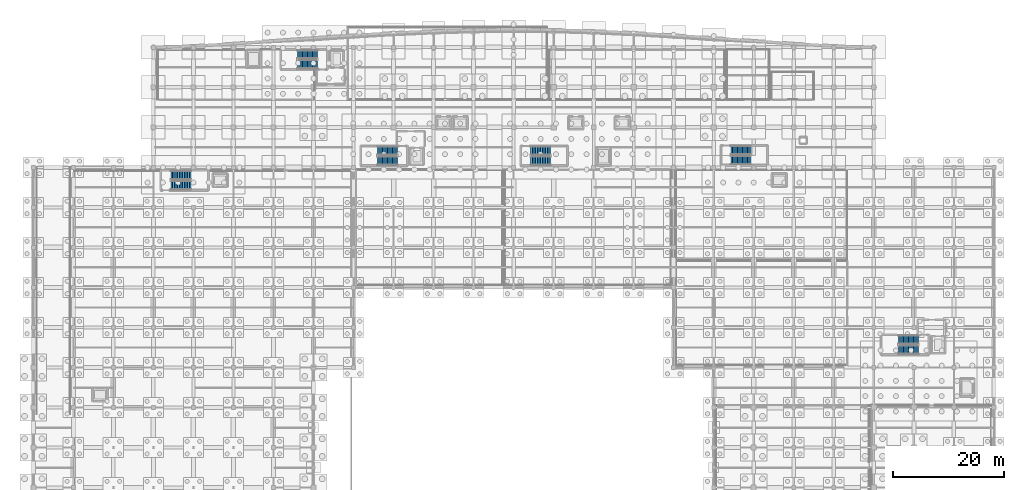
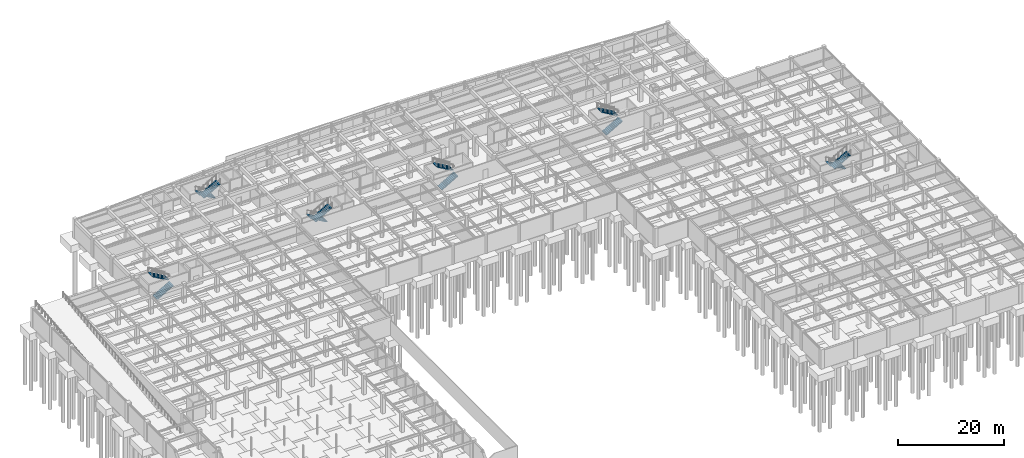
# One storey, part 41 of 48: 12 stair flights, 6 elements without a shape of their own.
"""IFC4 building model written with IfcOpenShell, lengths in metres."""

from ifc_helpers import new_model, si_unit, direction, frame, origin, place, context, subcontext, project, spatial, polyline, outline, extrude, material, type_object, element, aggregate, save


model = new_model("IFC4")

# Units and contexts
model_context = context("Model", 3, precision=1e-05, world=origin(), true_north=direction((0.0, 1.0)))
body_context = subcontext(model_context, "Body", "Model", "MODEL_VIEW")
ifc_project = project(units=[si_unit("LENGTHUNIT", "METRE"), si_unit("AREAUNIT", "SQUARE_METRE"), si_unit("VOLUMEUNIT", "CUBIC_METRE"), si_unit("PLANEANGLEUNIT", "RADIAN"), si_unit("MASSUNIT", "GRAM", prefix="KILO")], contexts=[model_context])

# Site, building, storey
site_placement = place(None, origin())
site = spatial("IfcSite", under=ifc_project, at=site_placement, CompositionType="ELEMENT")
building_placement = place(site_placement, origin())
building = spatial("IfcBuilding", under=site, at=building_placement, Name="Carrowvane Square Congress Hotel", CompositionType="ELEMENT")
storey_placement = place(building_placement, frame((0.0, 0.0, -4.5)))
storey = spatial("IfcBuildingStorey", under=building, at=storey_placement, Name="B01", CompositionType="ELEMENT", Elevation=-4.5)

# Stair, stair flights
ifc_material_1 = material(Name="Concrete C35/45", Category="concrete")
stair_type_1 = type_object("IfcStairType", Name="STR-DOG-01", PredefinedType="HALF_TURN_STAIR", material=ifc_material_1)
stair_1_placement = place(storey_placement, origin())
stair_1 = element("IfcStair", 1, at=stair_1_placement, inside=storey, type_object=stair_type_1, Name="B01 Core C1 West Hotel Firefighting Stair", PredefinedType="HALF_TURN_STAIR")
ifc_material_2 = material(Name="Concrete C35/45", Category="concrete")
stair_flight_type_1 = type_object("IfcStairFlightType", Name="SFL-STR-01", PredefinedType="STRAIGHT", material=ifc_material_2)
stair_flight_1_placement = place(storey_placement, frame((62.719970703125, 112.110107421875, 0.0), z_axis=(0.0, 0.0, 1.0), x_axis=(-1.0, 0.0, 0.0)))
stair_flight_1 = element("IfcStairFlight", 2, at=stair_flight_1_placement, type_object=stair_flight_type_1, Name="ST1 flight 1", NumberOfRisers=13, NumberOfTreads=12, PredefinedType="STRAIGHT", RiserHeight=0.173076923, TreadLength=0.3, context=body_context, shape_type="SweptSolid", body=[
    extrude(outline(polyline([(0.0, 0.0), (0.0, 0.173095703125), (0.300048828125, 0.173095703125), (0.300048828125, 0.34619140625), (0.60009765625, 0.34619140625), (0.60009765625, 0.519287109375), (0.89990234375, 0.519287109375), (0.89990234375, 0.6923828125), (1.199951171875, 0.6923828125), (1.199951171875, 0.865478515625), (1.5, 0.865478515625), (1.5, 1.03857421875), (1.800048828125, 1.03857421875), (1.800048828125, 1.21142578125), (2.10009765625, 1.21142578125), (2.10009765625, 1.384521484375), (2.39990234375, 1.384521484375), (2.39990234375, 1.5576171875), (2.699951171875, 1.5576171875), (2.699951171875, 1.730712890625), (3.0, 1.730712890625), (3.0, 1.90380859375), (3.300048828125, 1.90380859375), (3.300048828125, 2.076904296875), (3.60009765625, 2.076904296875), (3.60009765625, 2.25), (3.60009765625, 1.90380859375), (0.300048828125, 0.0), (0.0, 0.0)])), frame((0.0, 0.7900390625, 0.0), z_axis=(0.0, -1.0, 0.0), x_axis=(1.0, 0.0, 0.0)), (0.0, 0.0, 1.0), 1.580078125),
])
stair_flight_2_placement = place(storey_placement, frame((59.1201171875, 110.330078125, 2.25), z_axis=(0.0, 0.0, 1.0), x_axis=(1.0, 0.0, 0.0)))
stair_flight_2 = element("IfcStairFlight", 3, at=stair_flight_2_placement, type_object=stair_flight_type_1, Name="ST1 flight 2", NumberOfRisers=13, NumberOfTreads=12, PredefinedType="STRAIGHT", RiserHeight=0.173076923, TreadLength=0.3, context=body_context, shape_type="SweptSolid", body=[
    extrude(outline(polyline([(0.0, 0.0), (0.0, 0.173095703125), (0.300048828125, 0.173095703125), (0.300048828125, 0.34619140625), (0.60009765625, 0.34619140625), (0.60009765625, 0.519287109375), (0.89990234375, 0.519287109375), (0.89990234375, 0.6923828125), (1.199951171875, 0.6923828125), (1.199951171875, 0.865478515625), (1.5, 0.865478515625), (1.5, 1.03857421875), (1.800048828125, 1.03857421875), (1.800048828125, 1.21142578125), (2.10009765625, 1.21142578125), (2.10009765625, 1.384521484375), (2.39990234375, 1.384521484375), (2.39990234375, 1.5576171875), (2.699951171875, 1.5576171875), (2.699951171875, 1.730712890625), (3.0, 1.730712890625), (3.0, 1.90380859375), (3.300048828125, 1.90380859375), (3.300048828125, 2.076904296875), (3.60009765625, 2.076904296875), (3.60009765625, 2.25), (3.60009765625, 1.90380859375), (0.300048828125, 0.0), (0.0, 0.0)])), frame((0.0, 0.7900390625, 0.0), z_axis=(0.0, -1.0, 0.0), x_axis=(1.0, 0.0, 0.0)), (0.0, 0.0, 1.0), 1.580078125),
])
aggregate(stair_1, [stair_flight_1, stair_flight_2])

stair_2_placement = place(storey_placement, origin())
stair_2 = element("IfcStair", 4, at=stair_2_placement, inside=storey, type_object=stair_type_1, Name="B01 Core C2 Central Hotel Firefighting Stair", PredefinedType="HALF_TURN_STAIR")
stair_flight_3_placement = place(storey_placement, frame((77.1201171875, 94.77001953125, 0.0), z_axis=(0.0, 0.0, 1.0), x_axis=(-1.0, 0.0, 0.0)))
stair_flight_3 = element("IfcStairFlight", 5, at=stair_flight_3_placement, type_object=stair_flight_type_1, Name="ST2 flight 1", NumberOfRisers=13, NumberOfTreads=12, PredefinedType="STRAIGHT", RiserHeight=0.173076923, TreadLength=0.3, context=body_context, shape_type="SweptSolid", body=[
    extrude(outline(polyline([(0.0, 0.0), (0.0, 0.173095703125), (0.300048828125, 0.173095703125), (0.300048828125, 0.34619140625), (0.60009765625, 0.34619140625), (0.60009765625, 0.519287109375), (0.89990234375, 0.519287109375), (0.89990234375, 0.6923828125), (1.199951171875, 0.6923828125), (1.199951171875, 0.865478515625), (1.5, 0.865478515625), (1.5, 1.03857421875), (1.800048828125, 1.03857421875), (1.800048828125, 1.21142578125), (2.10009765625, 1.21142578125), (2.10009765625, 1.384521484375), (2.39990234375, 1.384521484375), (2.39990234375, 1.5576171875), (2.699951171875, 1.5576171875), (2.699951171875, 1.730712890625), (3.0, 1.730712890625), (3.0, 1.90380859375), (3.300048828125, 1.90380859375), (3.300048828125, 2.076904296875), (3.60009765625, 2.076904296875), (3.60009765625, 2.25), (3.60009765625, 1.90380859375), (0.300048828125, 0.0), (0.0, 0.0)])), frame((0.0, 0.7900390625, 0.0), z_axis=(0.0, -1.0, 0.0), x_axis=(1.0, 0.0, 0.0)), (0.0, 0.0, 1.0), 1.580078125),
])
stair_flight_4_placement = place(storey_placement, frame((73.52001953125, 92.989990234375, 2.25), z_axis=(0.0, 0.0, 1.0), x_axis=(1.0, 0.0, 0.0)))
stair_flight_4 = element("IfcStairFlight", 6, at=stair_flight_4_placement, type_object=stair_flight_type_1, Name="ST2 flight 2", NumberOfRisers=13, NumberOfTreads=12, PredefinedType="STRAIGHT", RiserHeight=0.173076923, TreadLength=0.3, context=body_context, shape_type="SweptSolid", body=[
    extrude(outline(polyline([(0.0, 0.0), (0.0, 0.173095703125), (0.300048828125, 0.173095703125), (0.300048828125, 0.34619140625), (0.60009765625, 0.34619140625), (0.60009765625, 0.519287109375), (0.89990234375, 0.519287109375), (0.89990234375, 0.6923828125), (1.199951171875, 0.6923828125), (1.199951171875, 0.865478515625), (1.5, 0.865478515625), (1.5, 1.03857421875), (1.800048828125, 1.03857421875), (1.800048828125, 1.21142578125), (2.10009765625, 1.21142578125), (2.10009765625, 1.384521484375), (2.39990234375, 1.384521484375), (2.39990234375, 1.5576171875), (2.699951171875, 1.5576171875), (2.699951171875, 1.730712890625), (3.0, 1.730712890625), (3.0, 1.90380859375), (3.300048828125, 1.90380859375), (3.300048828125, 2.076904296875), (3.60009765625, 2.076904296875), (3.60009765625, 2.25), (3.60009765625, 1.90380859375), (0.300048828125, 0.0), (0.0, 0.0)])), frame((0.0, 0.7900390625, 0.0), z_axis=(0.0, -1.0, 0.0), x_axis=(1.0, 0.0, 0.0)), (0.0, 0.0, 1.0), 1.580078125),
])
aggregate(stair_2, [stair_flight_3, stair_flight_4])

stair_3_placement = place(storey_placement, origin())
stair_3 = element("IfcStair", 7, at=stair_3_placement, inside=storey, type_object=stair_type_1, Name="B01 Core C3 East Hotel Escape Stair", PredefinedType="HALF_TURN_STAIR")
stair_flight_5_placement = place(storey_placement, frame((101.080078125, 92.989990234375, 0.0), z_axis=(0.0, 0.0, 1.0), x_axis=(1.0, 0.0, 0.0)))
stair_flight_5 = element("IfcStairFlight", 8, at=stair_flight_5_placement, type_object=stair_flight_type_1, Name="ST3 flight 1", NumberOfRisers=13, NumberOfTreads=12, PredefinedType="STRAIGHT", RiserHeight=0.173076923, TreadLength=0.3, context=body_context, shape_type="SweptSolid", body=[
    extrude(outline(polyline([(0.0, 0.0), (0.0, 0.173095703125), (0.300048828125, 0.173095703125), (0.300048828125, 0.34619140625), (0.60009765625, 0.34619140625), (0.60009765625, 0.519287109375), (0.89990234375, 0.519287109375), (0.89990234375, 0.6923828125), (1.199951171875, 0.6923828125), (1.199951171875, 0.865478515625), (1.5, 0.865478515625), (1.5, 1.03857421875), (1.800048828125, 1.03857421875), (1.800048828125, 1.21142578125), (2.10009765625, 1.21142578125), (2.10009765625, 1.384521484375), (2.39990234375, 1.384521484375), (2.39990234375, 1.5576171875), (2.699951171875, 1.5576171875), (2.699951171875, 1.730712890625), (3.0, 1.730712890625), (3.0, 1.90380859375), (3.300048828125, 1.90380859375), (3.300048828125, 2.076904296875), (3.60009765625, 2.076904296875), (3.60009765625, 2.25), (3.60009765625, 1.90380859375), (0.300048828125, 0.0), (0.0, 0.0)])), frame((0.0, 0.7900390625, 0.0), z_axis=(0.0, -1.0, 0.0), x_axis=(1.0, 0.0, 0.0)), (0.0, 0.0, 1.0), 1.580078125),
])
stair_flight_6_placement = place(storey_placement, frame((104.679931640625, 94.77001953125, 2.25), z_axis=(0.0, 0.0, 1.0), x_axis=(-1.0, 0.0, 0.0)))
stair_flight_6 = element("IfcStairFlight", 9, at=stair_flight_6_placement, type_object=stair_flight_type_1, Name="ST3 flight 2", NumberOfRisers=13, NumberOfTreads=12, PredefinedType="STRAIGHT", RiserHeight=0.173076923, TreadLength=0.3, context=body_context, shape_type="SweptSolid", body=[
    extrude(outline(polyline([(0.0, 0.0), (0.0, 0.173095703125), (0.300048828125, 0.173095703125), (0.300048828125, 0.34619140625), (0.60009765625, 0.34619140625), (0.60009765625, 0.519287109375), (0.89990234375, 0.519287109375), (0.89990234375, 0.6923828125), (1.199951171875, 0.6923828125), (1.199951171875, 0.865478515625), (1.5, 0.865478515625), (1.5, 1.03857421875), (1.800048828125, 1.03857421875), (1.800048828125, 1.21142578125), (2.10009765625, 1.21142578125), (2.10009765625, 1.384521484375), (2.39990234375, 1.384521484375), (2.39990234375, 1.5576171875), (2.699951171875, 1.5576171875), (2.699951171875, 1.730712890625), (3.0, 1.730712890625), (3.0, 1.90380859375), (3.300048828125, 1.90380859375), (3.300048828125, 2.076904296875), (3.60009765625, 2.076904296875), (3.60009765625, 2.25), (3.60009765625, 1.90380859375), (0.300048828125, 0.0), (0.0, 0.0)])), frame((0.0, 0.7900390625, 0.0), z_axis=(0.0, -1.0, 0.0), x_axis=(1.0, 0.0, 0.0)), (0.0, 0.0, 1.0), 1.580078125),
])
aggregate(stair_3, [stair_flight_5, stair_flight_6])

stair_4_placement = place(storey_placement, origin())
stair_4 = element("IfcStair", 10, at=stair_4_placement, inside=storey, type_object=stair_type_1, Name="B01 East Hotel Wing Escape Stair", PredefinedType="HALF_TURN_STAIR")
stair_flight_7_placement = place(storey_placement, frame((137.080078125, 93.090087890625, 0.0), z_axis=(0.0, 0.0, 1.0), x_axis=(1.0, 0.0, 0.0)))
stair_flight_7 = element("IfcStairFlight", 11, at=stair_flight_7_placement, type_object=stair_flight_type_1, Name="ST12 flight 1", NumberOfRisers=13, NumberOfTreads=12, PredefinedType="STRAIGHT", RiserHeight=0.173076923, TreadLength=0.3, context=body_context, shape_type="SweptSolid", body=[
    extrude(outline(polyline([(0.0, 0.0), (0.0, 0.173095703125), (0.300048828125, 0.173095703125), (0.300048828125, 0.34619140625), (0.60009765625, 0.34619140625), (0.60009765625, 0.519287109375), (0.89990234375, 0.519287109375), (0.89990234375, 0.6923828125), (1.199951171875, 0.6923828125), (1.199951171875, 0.865478515625), (1.5, 0.865478515625), (1.5, 1.03857421875), (1.800048828125, 1.03857421875), (1.800048828125, 1.21142578125), (2.10009765625, 1.21142578125), (2.10009765625, 1.384521484375), (2.39990234375, 1.384521484375), (2.39990234375, 1.5576171875), (2.699951171875, 1.5576171875), (2.699951171875, 1.730712890625), (3.0, 1.730712890625), (3.0, 1.90380859375), (3.300048828125, 1.90380859375), (3.300048828125, 2.076904296875), (3.60009765625, 2.076904296875), (3.60009765625, 2.25), (3.60009765625, 1.90380859375), (0.300048828125, 0.0), (0.0, 0.0)])), frame((0.0, 0.7900390625, 0.0), z_axis=(0.0, -1.0, 0.0), x_axis=(1.0, 0.0, 0.0)), (0.0, 0.0, 1.0), 1.580078125),
])
stair_flight_8_placement = place(storey_placement, frame((140.679931640625, 94.8701171875, 2.25), z_axis=(0.0, 0.0, 1.0), x_axis=(-1.0, 0.0, 0.0)))
stair_flight_8 = element("IfcStairFlight", 12, at=stair_flight_8_placement, type_object=stair_flight_type_1, Name="ST12 flight 2", NumberOfRisers=13, NumberOfTreads=12, PredefinedType="STRAIGHT", RiserHeight=0.173076923, TreadLength=0.3, context=body_context, shape_type="SweptSolid", body=[
    extrude(outline(polyline([(0.0, 0.0), (0.0, 0.173095703125), (0.300048828125, 0.173095703125), (0.300048828125, 0.34619140625), (0.60009765625, 0.34619140625), (0.60009765625, 0.519287109375), (0.89990234375, 0.519287109375), (0.89990234375, 0.6923828125), (1.199951171875, 0.6923828125), (1.199951171875, 0.865478515625), (1.5, 0.865478515625), (1.5, 1.03857421875), (1.800048828125, 1.03857421875), (1.800048828125, 1.21142578125), (2.10009765625, 1.21142578125), (2.10009765625, 1.384521484375), (2.39990234375, 1.384521484375), (2.39990234375, 1.5576171875), (2.699951171875, 1.5576171875), (2.699951171875, 1.730712890625), (3.0, 1.730712890625), (3.0, 1.90380859375), (3.300048828125, 1.90380859375), (3.300048828125, 2.076904296875), (3.60009765625, 2.076904296875), (3.60009765625, 2.25), (3.60009765625, 1.90380859375), (0.300048828125, 0.0), (0.0, 0.0)])), frame((0.0, 0.7900390625, 0.0), z_axis=(0.0, -1.0, 0.0), x_axis=(1.0, 0.0, 0.0)), (0.0, 0.0, 1.0), 1.580078125),
])
aggregate(stair_4, [stair_flight_7, stair_flight_8])

ifc_material_3 = material(Name="Concrete C35/45", Category="concrete")
stair_type_2 = type_object("IfcStairType", Name="STR-DOG-05", PredefinedType="HALF_TURN_STAIR", material=ifc_material_3)
stair_5_placement = place(storey_placement, origin())
stair_5 = element("IfcStair", 13, at=stair_5_placement, inside=storey, type_object=stair_type_2, Name="B01 Core C4 East Congress Firefighting Stair", PredefinedType="HALF_TURN_STAIR")
ifc_material_4 = material(Name="Concrete C35/45", Category="concrete")
stair_flight_type_2 = type_object("IfcStairFlightType", Name="SFL-STR-05", PredefinedType="STRAIGHT", material=ifc_material_4)
stair_flight_9_placement = place(storey_placement, frame((170.85009765625, 60.800048828125, 0.0), z_axis=(0.0, 0.0, 1.0), x_axis=(-1.0, 0.0, 0.0)))
stair_flight_9 = element("IfcStairFlight", 14, at=stair_flight_9_placement, type_object=stair_flight_type_2, Name="ST4 flight 1", NumberOfRisers=13, NumberOfTreads=12, PredefinedType="STRAIGHT", RiserHeight=0.173076923, TreadLength=0.3, context=body_context, shape_type="SweptSolid", body=[
    extrude(outline(polyline([(0.0, 0.0), (0.0, 0.173095703125), (0.300048828125, 0.173095703125), (0.300048828125, 0.34619140625), (0.60009765625, 0.34619140625), (0.60009765625, 0.519287109375), (0.89990234375, 0.519287109375), (0.89990234375, 0.6923828125), (1.199951171875, 0.6923828125), (1.199951171875, 0.865478515625), (1.5, 0.865478515625), (1.5, 1.03857421875), (1.800048828125, 1.03857421875), (1.800048828125, 1.21142578125), (2.10009765625, 1.21142578125), (2.10009765625, 1.384521484375), (2.39990234375, 1.384521484375), (2.39990234375, 1.5576171875), (2.699951171875, 1.5576171875), (2.699951171875, 1.730712890625), (3.0, 1.730712890625), (3.0, 1.90380859375), (3.300048828125, 1.90380859375), (3.300048828125, 2.076904296875), (3.60009765625, 2.076904296875), (3.60009765625, 2.25), (3.60009765625, 1.90380859375), (0.300048828125, 0.0), (0.0, 0.0)])), frame((0.0, 0.800048828125, 0.0), z_axis=(0.0, -1.0, 0.0), x_axis=(1.0, 0.0, 0.0)), (0.0, 0.0, 1.0), 1.60009765625),
])
stair_flight_10_placement = place(storey_placement, frame((167.25, 59.0, 2.25), z_axis=(0.0, 0.0, 1.0), x_axis=(1.0, 0.0, 0.0)))
stair_flight_10 = element("IfcStairFlight", 15, at=stair_flight_10_placement, type_object=stair_flight_type_2, Name="ST4 flight 2", NumberOfRisers=13, NumberOfTreads=12, PredefinedType="STRAIGHT", RiserHeight=0.173076923, TreadLength=0.3, context=body_context, shape_type="SweptSolid", body=[
    extrude(outline(polyline([(0.0, 0.0), (0.0, 0.173095703125), (0.300048828125, 0.173095703125), (0.300048828125, 0.34619140625), (0.60009765625, 0.34619140625), (0.60009765625, 0.519287109375), (0.89990234375, 0.519287109375), (0.89990234375, 0.6923828125), (1.199951171875, 0.6923828125), (1.199951171875, 0.865478515625), (1.5, 0.865478515625), (1.5, 1.03857421875), (1.800048828125, 1.03857421875), (1.800048828125, 1.21142578125), (2.10009765625, 1.21142578125), (2.10009765625, 1.384521484375), (2.39990234375, 1.384521484375), (2.39990234375, 1.5576171875), (2.699951171875, 1.5576171875), (2.699951171875, 1.730712890625), (3.0, 1.730712890625), (3.0, 1.90380859375), (3.300048828125, 1.90380859375), (3.300048828125, 2.076904296875), (3.60009765625, 2.076904296875), (3.60009765625, 2.25), (3.60009765625, 1.90380859375), (0.300048828125, 0.0), (0.0, 0.0)])), frame((0.0, 0.800048828125, 0.0), z_axis=(0.0, -1.0, 0.0), x_axis=(1.0, 0.0, 0.0)), (0.0, 0.0, 1.0), 1.60009765625),
])
aggregate(stair_5, [stair_flight_9, stair_flight_10])

stair_6_placement = place(storey_placement, origin())
stair_6 = element("IfcStair", 16, at=stair_6_placement, inside=storey, type_object=stair_type_2, Name="B01 Core C5 West Spa Escape Stair", PredefinedType="HALF_TURN_STAIR")
stair_flight_11_placement = place(storey_placement, frame((36.35009765625, 88.60009765625, 0.0), z_axis=(0.0, 0.0, 1.0), x_axis=(1.0, 0.0, 0.0)))
stair_flight_11 = element("IfcStairFlight", 17, at=stair_flight_11_placement, type_object=stair_flight_type_2, Name="ST5 flight 1", NumberOfRisers=13, NumberOfTreads=12, PredefinedType="STRAIGHT", RiserHeight=0.173076923, TreadLength=0.3, context=body_context, shape_type="SweptSolid", body=[
    extrude(outline(polyline([(0.0, 0.0), (0.0, 0.173095703125), (0.300048828125, 0.173095703125), (0.300048828125, 0.34619140625), (0.60009765625, 0.34619140625), (0.60009765625, 0.519287109375), (0.89990234375, 0.519287109375), (0.89990234375, 0.6923828125), (1.199951171875, 0.6923828125), (1.199951171875, 0.865478515625), (1.5, 0.865478515625), (1.5, 1.03857421875), (1.800048828125, 1.03857421875), (1.800048828125, 1.21142578125), (2.10009765625, 1.21142578125), (2.10009765625, 1.384521484375), (2.39990234375, 1.384521484375), (2.39990234375, 1.5576171875), (2.699951171875, 1.5576171875), (2.699951171875, 1.730712890625), (3.0, 1.730712890625), (3.0, 1.90380859375), (3.300048828125, 1.90380859375), (3.300048828125, 2.076904296875), (3.60009765625, 2.076904296875), (3.60009765625, 2.25), (3.60009765625, 1.90380859375), (0.300048828125, 0.0), (0.0, 0.0)])), frame((0.0, 0.800048828125, 0.0), z_axis=(0.0, -1.0, 0.0), x_axis=(1.0, 0.0, 0.0)), (0.0, 0.0, 1.0), 1.60009765625),
])
stair_flight_12_placement = place(storey_placement, frame((39.949951171875, 90.39990234375, 2.25), z_axis=(0.0, 0.0, 1.0), x_axis=(-1.0, 0.0, 0.0)))
stair_flight_12 = element("IfcStairFlight", 18, at=stair_flight_12_placement, type_object=stair_flight_type_2, Name="ST5 flight 2", NumberOfRisers=13, NumberOfTreads=12, PredefinedType="STRAIGHT", RiserHeight=0.173076923, TreadLength=0.3, context=body_context, shape_type="SweptSolid", body=[
    extrude(outline(polyline([(0.0, 0.0), (0.0, 0.173095703125), (0.300048828125, 0.173095703125), (0.300048828125, 0.34619140625), (0.60009765625, 0.34619140625), (0.60009765625, 0.519287109375), (0.89990234375, 0.519287109375), (0.89990234375, 0.6923828125), (1.199951171875, 0.6923828125), (1.199951171875, 0.865478515625), (1.5, 0.865478515625), (1.5, 1.03857421875), (1.800048828125, 1.03857421875), (1.800048828125, 1.21142578125), (2.10009765625, 1.21142578125), (2.10009765625, 1.384521484375), (2.39990234375, 1.384521484375), (2.39990234375, 1.5576171875), (2.699951171875, 1.5576171875), (2.699951171875, 1.730712890625), (3.0, 1.730712890625), (3.0, 1.90380859375), (3.300048828125, 1.90380859375), (3.300048828125, 2.076904296875), (3.60009765625, 2.076904296875), (3.60009765625, 2.25), (3.60009765625, 1.90380859375), (0.300048828125, 0.0), (0.0, 0.0)])), frame((0.0, 0.800048828125, 0.0), z_axis=(0.0, -1.0, 0.0), x_axis=(1.0, 0.0, 0.0)), (0.0, 0.0, 1.0), 1.60009765625),
])
aggregate(stair_6, [stair_flight_11, stair_flight_12])

save(model, "model.ifc")
